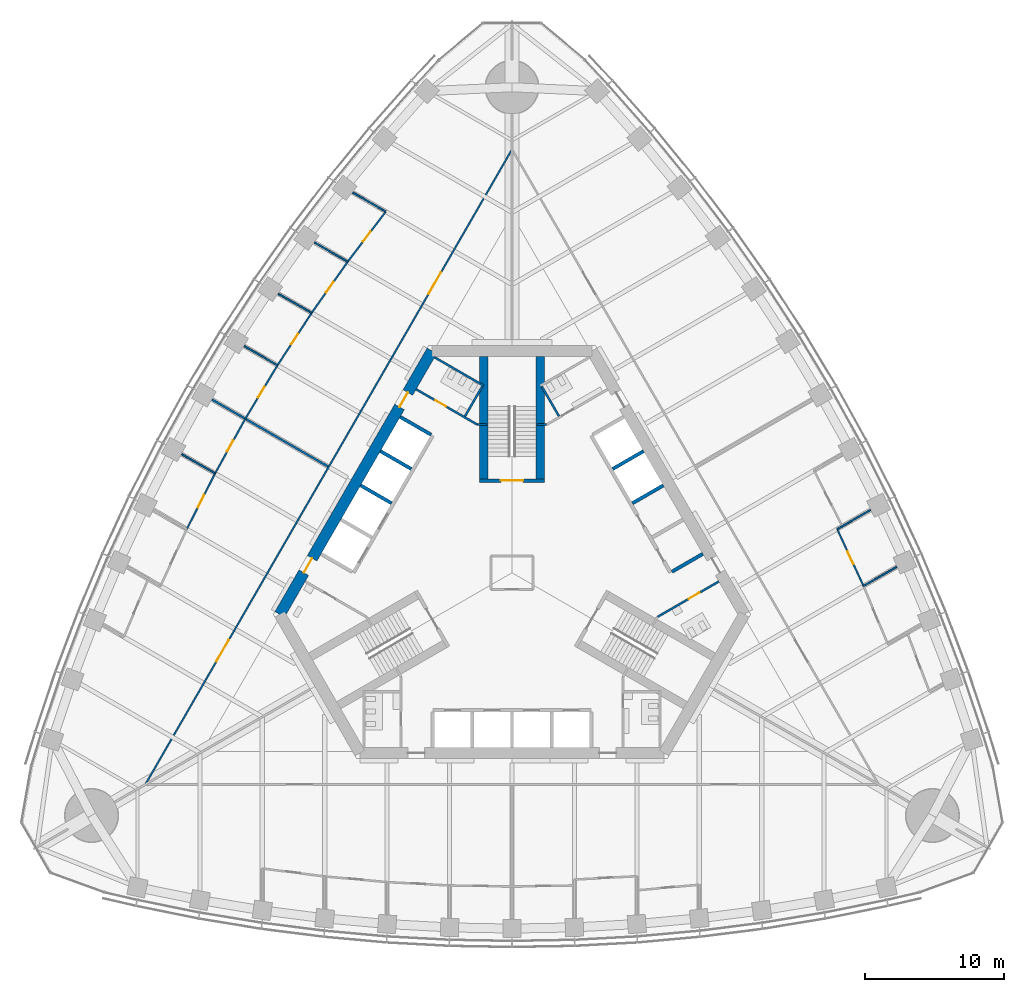
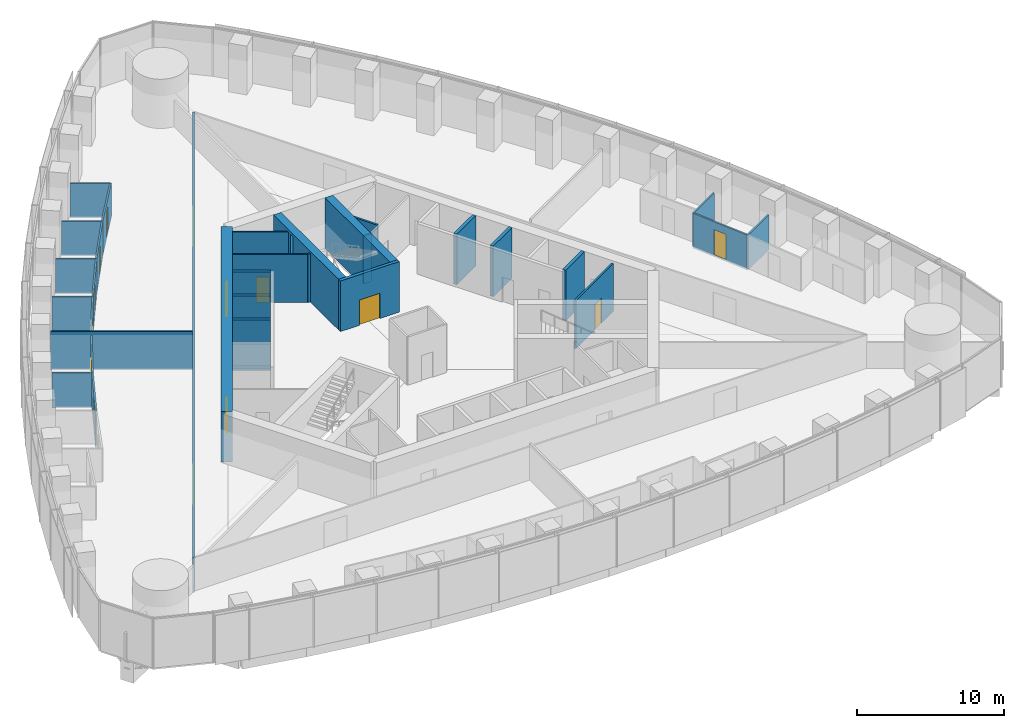
# One storey, part 13 of 19: 33 walls, 14 doors, 14 openings.
"""IFC4 building model written with IfcOpenShell, lengths in metres."""

from ifc_helpers import new_model, si_unit, direction, frame, frame_2d, origin, place, context, subcontext, project, spatial, rectangle, extrude, material, layer, layer_set, type_object, element, fill, save


model = new_model("IFC4")

# Units and contexts
model_context = context("Model", 3, precision=1e-05, world=origin(), true_north=direction((0.0, 1.0)))
body_context = subcontext(model_context, "Body", "Model", "MODEL_VIEW")
ifc_project = project(units=[si_unit("LENGTHUNIT", "METRE"), si_unit("AREAUNIT", "SQUARE_METRE"), si_unit("VOLUMEUNIT", "CUBIC_METRE"), si_unit("PLANEANGLEUNIT", "RADIAN"), si_unit("MASSUNIT", "GRAM", prefix="KILO")], contexts=[model_context])

# Site, building, storey
site_placement = place(None, origin())
site = spatial("IfcSite", under=ifc_project, at=site_placement, CompositionType="ELEMENT")
building_placement = place(site_placement, origin())
building = spatial("IfcBuilding", under=site, at=building_placement, Name="Trefoil Bronze Tower", CompositionType="ELEMENT")
storey_placement = place(building_placement, frame((0.0, 0.0, 128.300048828125)))
storey = spatial("IfcBuildingStorey", under=building, at=storey_placement, Name="L29", CompositionType="ELEMENT", Elevation=128.300048828125)

# Wall, openings, doors
ifc_material_1 = material(Name="Concrete B80", Category="concrete")
ifc_layer_1 = layer(ifc_material_1, 0.800048828125)
ifc_layer_set_1 = layer_set([ifc_layer_1], Name="Core wall 800")
wall_type_1 = type_object("IfcWallType", Name="Core wall 800", PredefinedType="SHEAR", material=ifc_layer_set_1)
wall_1_placement = place(storey_placement, frame((-5.7734375, 16.0, 0.0), z_axis=(0.0, 0.0, 1.0), x_axis=(-0.500002442456, -0.866023993627, 0.0)))
wall_1 = element("IfcWall", 1, at=wall_1_placement, inside=storey, type_object=wall_type_1, Name="Core long wall 3 L29", PredefinedType="SHEAR", context=body_context, shape_type="SweptSolid", body=[
    extrude(rectangle(XDim=21.939453125, YDim=0.800048828125, at=frame_2d((10.9697265625, 0.0))), origin(), (0.0, 0.0, 1.0), 4.199951171875),
])
opening_1_placement = place(wall_1_placement, frame((17.269775390625, 0.0, 0.0)))
opening_1 = element("IfcOpeningElement", 2, at=opening_1_placement, cuts=wall_1, Name="Opening D2", PredefinedType="OPENING", context=body_context, shape_type="SweptSolid", body=[
    extrude(rectangle(XDim=1.199951171875, YDim=2.10009765625, at=frame_2d((0.60009765625, 1.050048828125))), frame((0.0, 0.409912109375, 0.0), z_axis=(0.0, -1.0, 0.0), x_axis=(1.0, 0.0, 0.0)), (0.0, 0.0, 1.0), 0.820068359375),
])
opening_2_placement = place(wall_1_placement, frame((3.4697265625, 0.0, 0.0)))
opening_2 = element("IfcOpeningElement", 3, at=opening_2_placement, cuts=wall_1, Name="Opening D2", PredefinedType="OPENING", context=body_context, shape_type="SweptSolid", body=[
    extrude(rectangle(XDim=1.199951171875, YDim=2.10009765625, at=frame_2d((0.60009765625, 1.050048828125))), frame((0.0, 0.409912109375, 0.0), z_axis=(0.0, -1.0, 0.0), x_axis=(1.0, 0.0, 0.0)), (0.0, 0.0, 1.0), 0.820068359375),
])
ifc_material_2 = material(Name="Steel door", Category="steel")
door_type_1 = type_object("IfcDoorType", Name="Lobby door 1200", OperationType="SINGLE_SWING_RIGHT", PredefinedType="DOOR", material=ifc_material_2)
door_1_placement = place(opening_1_placement, origin())
door_1 = element("IfcDoor", 4, at=door_1_placement, inside=storey, type_object=door_type_1, Name="Lobby door F3+ L29", OperationType="SINGLE_SWING_RIGHT", OverallHeight=2.10009765625, OverallWidth=1.199951171875, PredefinedType="DOOR", context=body_context, shape_type="SweptSolid", body=[
    extrude(rectangle(XDim=1.199951171875, YDim=2.10009765625, at=frame_2d((0.60009765625, 1.050048828125))), frame((0.0, 0.02490234375, 0.0), z_axis=(0.0, -1.0, 0.0), x_axis=(1.0, 0.0, 0.0)), (0.0, 0.0, 1.0), 0.050048828125),
])
fill(opening_1, door_1)
door_2_placement = place(opening_2_placement, origin())
door_2 = element("IfcDoor", 5, at=door_2_placement, inside=storey, type_object=door_type_1, Name="Lobby door F3- L29", OperationType="SINGLE_SWING_LEFT", OverallHeight=2.10009765625, OverallWidth=1.199951171875, PredefinedType="DOOR", context=body_context, shape_type="SweptSolid", body=[
    extrude(rectangle(XDim=1.199951171875, YDim=2.10009765625, at=frame_2d((0.60009765625, 1.050048828125))), frame((0.0, 0.02490234375, 0.0), z_axis=(0.0, -1.0, 0.0), x_axis=(1.0, 0.0, 0.0)), (0.0, 0.0, 1.0), 0.050048828125),
])
fill(opening_2, door_2)

# Wall, opening, door
ifc_material_3 = material(Name="Glazed partition", Category="glass")
ifc_layer_2 = layer(ifc_material_3, 0.1201171875)
ifc_layer_set_2 = layer_set([ifc_layer_2], Name="Glazed partition 120")
wall_type_2 = type_object("IfcWallType", Name="Glazed partition 120", PredefinedType="PARTITIONING", material=ifc_layer_set_2)
wall_2_placement = place(storey_placement, frame((25.341552734375, -0.95751953125, 0.0), z_axis=(0.0, 0.0, 1.0), x_axis=(-0.419883773418, 0.907577884713, 0.0)))
wall_2 = element("IfcWall", 6, at=wall_2_placement, inside=storey, type_object=wall_type_2, Name="Partition F2 L29", PredefinedType="PARTITIONING", context=body_context, shape_type="SweptSolid", body=[
    extrude(rectangle(XDim=4.5185546875, YDim=0.1201171875, at=frame_2d((2.25927734375, 0.0))), origin(), (0.0, 0.0, 1.0), 2.89990234375),
])
opening_3_placement = place(wall_2_placement, frame((1.75, 0.0, 0.14990234375)))
opening_3 = element("IfcOpeningElement", 7, at=opening_3_placement, cuts=wall_2, Name="Opening D9", PredefinedType="OPENING", context=body_context, shape_type="SweptSolid", body=[
    extrude(rectangle(XDim=1.0, YDim=2.10009765625, at=frame_2d((0.5, 1.050048828125))), frame((0.0, 0.070068359375, 0.0), z_axis=(0.0, -1.0, 0.0), x_axis=(1.0, 0.0, 0.0)), (0.0, 0.0, 1.0), 0.14013671875),
])
ifc_material_4 = material(Name="Glazed timber door", Category="wood")
door_type_2 = type_object("IfcDoorType", Name="Meeting room door 1000", OperationType="SINGLE_SWING_LEFT", PredefinedType="DOOR", material=ifc_material_4)
door_3_placement = place(opening_3_placement, frame((1.0, 0.0, 0.0), z_axis=(0.0, 0.0, 1.0), x_axis=(-1.0, 0.0, 0.0)))
door_3 = element("IfcDoor", 8, at=door_3_placement, inside=storey, type_object=door_type_2, Name="Meeting room door F2 L29", OperationType="SINGLE_SWING_RIGHT", OverallHeight=2.10009765625, OverallWidth=1.0, PredefinedType="DOOR", context=body_context, shape_type="SweptSolid", body=[
    extrude(rectangle(XDim=1.0, YDim=2.10009765625, at=frame_2d((0.5, 1.050048828125))), frame((0.0, 0.02490234375, 0.0), z_axis=(0.0, -1.0, 0.0), x_axis=(1.0, 0.0, 0.0)), (0.0, 0.0, 1.0), 0.050048828125),
])
fill(opening_3, door_3)

# Walls
wall_3_placement = place(storey_placement, frame((25.341552734375, -0.95751953125, 0.0), z_axis=(0.0, 0.0, 1.0), x_axis=(0.866014808974, 0.500018350302, 0.0)))
element("IfcWall", 9, at=wall_3_placement, inside=storey, type_object=wall_type_2, Name="Partition F2 L29", PredefinedType="PARTITIONING", context=body_context, shape_type="SweptSolid", body=[
    extrude(rectangle(XDim=2.76171875, YDim=0.1201171875, at=frame_2d((1.380859375, 0.0))), origin(), (0.0, 0.0, 1.0), 2.89990234375),
])
wall_4_placement = place(storey_placement, frame((23.4443359375, 3.143310546875, 0.0), z_axis=(0.0, 0.0, 1.0), x_axis=(0.866023907196, 0.500002592159, 0.0)))
element("IfcWall", 10, at=wall_4_placement, inside=storey, type_object=wall_type_2, Name="Partition F2 L29", PredefinedType="PARTITIONING", context=body_context, shape_type="SweptSolid", body=[
    extrude(rectangle(XDim=2.76611328125, YDim=0.1201171875, at=frame_2d((1.383056640625, 0.0))), origin(), (0.0, 0.0, 1.0), 2.89990234375),
])

# Wall, openings, doors
wall_5_placement = place(storey_placement, frame((-0.016357421875, 30.491455078125, 0.0), z_axis=(0.0, 0.0, 1.0), x_axis=(-0.50000091641, -0.866024874695, 0.0)))
wall_5 = element("IfcWall", 11, at=wall_5_placement, inside=storey, type_object=wall_type_2, Name="Partition F3 L29", PredefinedType="PARTITIONING", context=body_context, shape_type="SweptSolid", body=[
    extrude(rectangle(XDim=52.79638671875, YDim=0.1201171875, at=frame_2d((26.398193359375, 0.0))), origin(), (0.0, 0.0, 1.0), 2.89990234375),
])
opening_4_placement = place(wall_5_placement, frame((10.199951171875, 0.0, 0.14990234375)))
opening_4 = element("IfcOpeningElement", 12, at=opening_4_placement, cuts=wall_5, Name="Opening D10", PredefinedType="OPENING", context=body_context, shape_type="SweptSolid", body=[
    extrude(rectangle(XDim=1.800048828125, YDim=2.10009765625, at=frame_2d((0.89990234375, 1.050048828125))), frame((0.0, 0.070068359375, 0.0), z_axis=(0.0, -1.0, 0.0), x_axis=(1.0, 0.0, 0.0)), (0.0, 0.0, 1.0), 0.14013671875),
])
opening_5_placement = place(wall_5_placement, frame((40.800048828125, 0.0, 0.14990234375)))
opening_5 = element("IfcOpeningElement", 13, at=opening_5_placement, cuts=wall_5, Name="Opening D10", PredefinedType="OPENING", context=body_context, shape_type="SweptSolid", body=[
    extrude(rectangle(XDim=1.800048828125, YDim=2.10009765625, at=frame_2d((0.89990234375, 1.050048828125))), frame((0.0, 0.070068359375, 0.0), z_axis=(0.0, -1.0, 0.0), x_axis=(1.0, 0.0, 0.0)), (0.0, 0.0, 1.0), 0.14013671875),
])
ifc_material_5 = material(Name="Timber door", Category="wood")
door_type_3 = type_object("IfcDoorType", Name="Double door 1800", OperationType="DOUBLE_DOOR_SINGLE_SWING", PredefinedType="DOOR", material=ifc_material_5)
door_4_placement = place(opening_4_placement, origin())
door_4 = element("IfcDoor", 14, at=door_4_placement, inside=storey, type_object=door_type_3, Name="Corridor door F3 L29", OperationType="DOUBLE_DOOR_SINGLE_SWING", OverallHeight=2.10009765625, OverallWidth=1.800048828125, PredefinedType="DOOR", context=body_context, shape_type="SweptSolid", body=[
    extrude(rectangle(XDim=1.800048828125, YDim=2.10009765625, at=frame_2d((0.89990234375, 1.050048828125))), frame((0.0, 0.02490234375, 0.0), z_axis=(0.0, -1.0, 0.0), x_axis=(1.0, 0.0, 0.0)), (0.0, 0.0, 1.0), 0.050048828125),
])
fill(opening_4, door_4)
door_5_placement = place(opening_5_placement, origin())
door_5 = element("IfcDoor", 15, at=door_5_placement, inside=storey, type_object=door_type_3, Name="Corridor door F3 L29", OperationType="DOUBLE_DOOR_SINGLE_SWING", OverallHeight=2.10009765625, OverallWidth=1.800048828125, PredefinedType="DOOR", context=body_context, shape_type="SweptSolid", body=[
    extrude(rectangle(XDim=1.800048828125, YDim=2.10009765625, at=frame_2d((0.89990234375, 1.050048828125))), frame((0.0, 0.02490234375, 0.0), z_axis=(0.0, -1.0, 0.0), x_axis=(1.0, 0.0, 0.0)), (0.0, 0.0, 1.0), 0.050048828125),
])
fill(opening_5, door_5)

# Wall, opening, door
wall_6_placement = place(storey_placement, frame((-19.2255859375, 11.099853515625, 0.0), z_axis=(0.0, 0.0, 1.0), x_axis=(-0.484292898211, -0.874905931368, 0.0)))
wall_6 = element("IfcWall", 16, at=wall_6_placement, inside=storey, type_object=wall_type_2, Name="Partition F3 L29", PredefinedType="PARTITIONING", context=body_context, shape_type="SweptSolid", body=[
    extrude(rectangle(XDim=4.500732421875, YDim=0.1201171875, at=frame_2d((2.25048828125, 0.0))), origin(), (0.0, 0.0, 1.0), 2.89990234375),
])
opening_6_placement = place(wall_6_placement, frame((1.800048828125, 0.0, 0.14990234375)))
opening_6 = element("IfcOpeningElement", 17, at=opening_6_placement, cuts=wall_6, Name="Opening D8", PredefinedType="OPENING", context=body_context, shape_type="SweptSolid", body=[
    extrude(rectangle(XDim=0.89990234375, YDim=2.10009765625, at=frame_2d((0.449951171875, 1.050048828125))), frame((0.0, 0.070068359375, 0.0), z_axis=(0.0, -1.0, 0.0), x_axis=(1.0, 0.0, 0.0)), (0.0, 0.0, 1.0), 0.14013671875),
])
ifc_material_6 = material(Name="Timber door", Category="wood")
door_type_4 = type_object("IfcDoorType", Name="Office door 900", OperationType="SINGLE_SWING_LEFT", PredefinedType="DOOR", material=ifc_material_6)
door_6_placement = place(opening_6_placement, frame((0.89990234375, 0.0, 0.0), z_axis=(0.0, 0.0, 1.0), x_axis=(-1.0, 0.0, 0.0)))
door_6 = element("IfcDoor", 18, at=door_6_placement, inside=storey, type_object=door_type_4, Name="Office door F3 L29", OperationType="SINGLE_SWING_RIGHT", OverallHeight=2.10009765625, OverallWidth=0.89990234375, PredefinedType="DOOR", context=body_context, shape_type="SweptSolid", body=[
    extrude(rectangle(XDim=0.89990234375, YDim=2.10009765625, at=frame_2d((0.449951171875, 1.050048828125))), frame((0.0, 0.02490234375, 0.0), z_axis=(0.0, -1.0, 0.0), x_axis=(1.0, 0.0, 0.0)), (0.0, 0.0, 1.0), 0.050048828125),
])
fill(opening_6, door_6)

wall_7_placement = place(storey_placement, frame((-21.4052734375, 7.162109375, 0.0), z_axis=(0.0, 0.0, 1.0), x_axis=(-0.452471679136, -0.891778772779, 0.0)))
wall_7 = element("IfcWall", 19, at=wall_7_placement, inside=storey, type_object=wall_type_2, Name="Partition F3 L29", PredefinedType="PARTITIONING", context=body_context, shape_type="SweptSolid", body=[
    extrude(rectangle(XDim=4.506591796875, YDim=0.1201171875, at=frame_2d((2.25341796875, 0.0))), origin(), (0.0, 0.0, 1.0), 2.89990234375),
])
opening_7_placement = place(wall_7_placement, frame((1.75, 0.0, 0.14990234375)))
opening_7 = element("IfcOpeningElement", 20, at=opening_7_placement, cuts=wall_7, Name="Opening D9", PredefinedType="OPENING", context=body_context, shape_type="SweptSolid", body=[
    extrude(rectangle(XDim=1.0, YDim=2.10009765625, at=frame_2d((0.5, 1.050048828125))), frame((0.0, 0.070068359375, 0.0), z_axis=(0.0, -1.0, 0.0), x_axis=(1.0, 0.0, 0.0)), (0.0, 0.0, 1.0), 0.14013671875),
])
door_7_placement = place(opening_7_placement, frame((1.0, 0.0, 0.0), z_axis=(0.0, 0.0, 1.0), x_axis=(-1.0, 0.0, 0.0)))
door_7 = element("IfcDoor", 21, at=door_7_placement, inside=storey, type_object=door_type_2, Name="Meeting room door F3 L29", OperationType="SINGLE_SWING_RIGHT", OverallHeight=2.10009765625, OverallWidth=1.0, PredefinedType="DOOR", context=body_context, shape_type="SweptSolid", body=[
    extrude(rectangle(XDim=1.0, YDim=2.10009765625, at=frame_2d((0.5, 1.050048828125))), frame((0.0, 0.02490234375, 0.0), z_axis=(0.0, -1.0, 0.0), x_axis=(1.0, 0.0, 0.0)), (0.0, 0.0, 1.0), 0.050048828125),
])
fill(opening_7, door_7)

wall_8_placement = place(storey_placement, frame((-11.841552734375, 22.42529296875, 0.0), z_axis=(0.0, 0.0, 1.0), x_axis=(-0.576023283708, -0.817433285734, 0.0)))
wall_8 = element("IfcWall", 22, at=wall_8_placement, inside=storey, type_object=wall_type_2, Name="Partition F3 L29", PredefinedType="PARTITIONING", context=body_context, shape_type="SweptSolid", body=[
    extrude(rectangle(XDim=4.5185546875, YDim=0.1201171875, at=frame_2d((2.25927734375, 0.0))), origin(), (0.0, 0.0, 1.0), 2.89990234375),
])
opening_8_placement = place(wall_8_placement, frame((1.800048828125, 0.0, 0.14990234375)))
opening_8 = element("IfcOpeningElement", 23, at=opening_8_placement, cuts=wall_8, Name="Opening D8", PredefinedType="OPENING", context=body_context, shape_type="SweptSolid", body=[
    extrude(rectangle(XDim=0.89990234375, YDim=2.10009765625, at=frame_2d((0.449951171875, 1.050048828125))), frame((0.0, 0.070068359375, 0.0), z_axis=(0.0, -1.0, 0.0), x_axis=(1.0, 0.0, 0.0)), (0.0, 0.0, 1.0), 0.14013671875),
])
door_8_placement = place(opening_8_placement, frame((0.89990234375, 0.0, 0.0), z_axis=(0.0, 0.0, 1.0), x_axis=(-1.0, 0.0, 0.0)))
door_8 = element("IfcDoor", 24, at=door_8_placement, inside=storey, type_object=door_type_4, Name="Office door F3 L29", OperationType="SINGLE_SWING_RIGHT", OverallHeight=2.10009765625, OverallWidth=0.89990234375, PredefinedType="DOOR", context=body_context, shape_type="SweptSolid", body=[
    extrude(rectangle(XDim=0.89990234375, YDim=2.10009765625, at=frame_2d((0.449951171875, 1.050048828125))), frame((0.0, 0.02490234375, 0.0), z_axis=(0.0, -1.0, 0.0), x_axis=(1.0, 0.0, 0.0)), (0.0, 0.0, 1.0), 0.050048828125),
])
fill(opening_8, door_8)

wall_9_placement = place(storey_placement, frame((-9.09619140625, 26.0361328125, 0.0), z_axis=(0.0, 0.0, 1.0), x_axis=(-0.605240194184, -0.796042905467, 0.0)))
wall_9 = element("IfcWall", 25, at=wall_9_placement, inside=storey, type_object=wall_type_2, Name="Partition F3 L29", PredefinedType="PARTITIONING", context=body_context, shape_type="SweptSolid", body=[
    extrude(rectangle(XDim=4.535888671875, YDim=0.1201171875, at=frame_2d((2.26806640625, 0.0))), origin(), (0.0, 0.0, 1.0), 2.89990234375),
])
opening_9_placement = place(wall_9_placement, frame((1.800048828125, 0.0, 0.14990234375)))
opening_9 = element("IfcOpeningElement", 26, at=opening_9_placement, cuts=wall_9, Name="Opening D8", PredefinedType="OPENING", context=body_context, shape_type="SweptSolid", body=[
    extrude(rectangle(XDim=0.89990234375, YDim=2.10009765625, at=frame_2d((0.449951171875, 1.050048828125))), frame((0.0, 0.070068359375, 0.0), z_axis=(0.0, -1.0, 0.0), x_axis=(1.0, 0.0, 0.0)), (0.0, 0.0, 1.0), 0.14013671875),
])
door_9_placement = place(opening_9_placement, frame((0.89990234375, 0.0, 0.0), z_axis=(0.0, 0.0, 1.0), x_axis=(-1.0, 0.0, 0.0)))
door_9 = element("IfcDoor", 27, at=door_9_placement, inside=storey, type_object=door_type_4, Name="Office door F3 L29", OperationType="SINGLE_SWING_RIGHT", OverallHeight=2.10009765625, OverallWidth=0.89990234375, PredefinedType="DOOR", context=body_context, shape_type="SweptSolid", body=[
    extrude(rectangle(XDim=0.89990234375, YDim=2.10009765625, at=frame_2d((0.449951171875, 1.050048828125))), frame((0.0, 0.02490234375, 0.0), z_axis=(0.0, -1.0, 0.0), x_axis=(1.0, 0.0, 0.0)), (0.0, 0.0, 1.0), 0.050048828125),
])
fill(opening_9, door_9)

wall_10_placement = place(storey_placement, frame((-16.9052734375, 14.956298828125, 0.0), z_axis=(0.0, 0.0, 1.0), x_axis=(-0.515548366618, -0.856860479703, 0.0)))
wall_10 = element("IfcWall", 28, at=wall_10_placement, inside=storey, type_object=wall_type_2, Name="Partition F3 L29", PredefinedType="PARTITIONING", context=body_context, shape_type="SweptSolid", body=[
    extrude(rectangle(XDim=4.500732421875, YDim=0.1201171875, at=frame_2d((2.25048828125, 0.0))), origin(), (0.0, 0.0, 1.0), 2.89990234375),
])
opening_10_placement = place(wall_10_placement, frame((1.800048828125, 0.0, 0.14990234375)))
opening_10 = element("IfcOpeningElement", 29, at=opening_10_placement, cuts=wall_10, Name="Opening D8", PredefinedType="OPENING", context=body_context, shape_type="SweptSolid", body=[
    extrude(rectangle(XDim=0.89990234375, YDim=2.10009765625, at=frame_2d((0.449951171875, 1.050048828125))), frame((0.0, 0.070068359375, 0.0), z_axis=(0.0, -1.0, 0.0), x_axis=(1.0, 0.0, 0.0)), (0.0, 0.0, 1.0), 0.14013671875),
])
door_10_placement = place(opening_10_placement, frame((0.89990234375, 0.0, 0.0), z_axis=(0.0, 0.0, 1.0), x_axis=(-1.0, 0.0, 0.0)))
door_10 = element("IfcDoor", 30, at=door_10_placement, inside=storey, type_object=door_type_4, Name="Office door F3 L29", OperationType="SINGLE_SWING_RIGHT", OverallHeight=2.10009765625, OverallWidth=0.89990234375, PredefinedType="DOOR", context=body_context, shape_type="SweptSolid", body=[
    extrude(rectangle(XDim=0.89990234375, YDim=2.10009765625, at=frame_2d((0.449951171875, 1.050048828125))), frame((0.0, 0.02490234375, 0.0), z_axis=(0.0, -1.0, 0.0), x_axis=(1.0, 0.0, 0.0)), (0.0, 0.0, 1.0), 0.050048828125),
])
fill(opening_10, door_10)

wall_11_placement = place(storey_placement, frame((-14.4443359375, 18.731689453125, 0.0), z_axis=(0.0, 0.0, 1.0), x_axis=(-0.546069464151, -0.837739900161, 0.0)))
wall_11 = element("IfcWall", 31, at=wall_11_placement, inside=storey, type_object=wall_type_2, Name="Partition F3 L29", PredefinedType="PARTITIONING", context=body_context, shape_type="SweptSolid", body=[
    extrude(rectangle(XDim=4.506591796875, YDim=0.1201171875, at=frame_2d((2.25341796875, 0.0))), origin(), (0.0, 0.0, 1.0), 2.89990234375),
])
opening_11_placement = place(wall_11_placement, frame((1.800048828125, 0.0, 0.14990234375)))
opening_11 = element("IfcOpeningElement", 32, at=opening_11_placement, cuts=wall_11, Name="Opening D8", PredefinedType="OPENING", context=body_context, shape_type="SweptSolid", body=[
    extrude(rectangle(XDim=0.89990234375, YDim=2.10009765625, at=frame_2d((0.449951171875, 1.050048828125))), frame((0.0, 0.070068359375, 0.0), z_axis=(0.0, -1.0, 0.0), x_axis=(1.0, 0.0, 0.0)), (0.0, 0.0, 1.0), 0.14013671875),
])
door_11_placement = place(opening_11_placement, frame((0.89990234375, 0.0, 0.0), z_axis=(0.0, 0.0, 1.0), x_axis=(-1.0, 0.0, 0.0)))
door_11 = element("IfcDoor", 33, at=door_11_placement, inside=storey, type_object=door_type_4, Name="Office door F3 L29", OperationType="SINGLE_SWING_RIGHT", OverallHeight=2.10009765625, OverallWidth=0.89990234375, PredefinedType="DOOR", context=body_context, shape_type="SweptSolid", body=[
    extrude(rectangle(XDim=0.89990234375, YDim=2.10009765625, at=frame_2d((0.449951171875, 1.050048828125))), frame((0.0, 0.02490234375, 0.0), z_axis=(0.0, -1.0, 0.0), x_axis=(1.0, 0.0, 0.0)), (0.0, 0.0, 1.0), 0.050048828125),
])
fill(opening_11, door_11)

# Walls
wall_12_placement = place(storey_placement, frame((-21.4052734375, 7.162109375, 0.0), z_axis=(0.0, 0.0, 1.0), x_axis=(-0.866015261085, 0.500017567259, 0.0)))
element("IfcWall", 34, at=wall_12_placement, inside=storey, type_object=wall_type_2, Name="Partition F3 L29", PredefinedType="PARTITIONING", context=body_context, shape_type="SweptSolid", body=[
    extrude(rectangle(XDim=2.76904296875, YDim=0.1201171875, at=frame_2d((1.384521484375, 0.0))), origin(), (0.0, 0.0, 1.0), 2.89990234375),
])
wall_13_placement = place(storey_placement, frame((-11.841552734375, 22.42529296875, 0.0), z_axis=(0.0, 0.0, 1.0), x_axis=(-0.866053089527, 0.499952043821, 0.0)))
element("IfcWall", 35, at=wall_13_placement, inside=storey, type_object=wall_type_2, Name="Partition F3 L29", PredefinedType="PARTITIONING", context=body_context, shape_type="SweptSolid", body=[
    extrude(rectangle(XDim=2.761474609375, YDim=0.1201171875, at=frame_2d((1.380859375, 0.0))), origin(), (0.0, 0.0, 1.0), 2.89990234375),
])
wall_14_placement = place(storey_placement, frame((-9.09619140625, 26.0361328125, 0.0), z_axis=(0.0, 0.0, 1.0), x_axis=(-0.865975970311, 0.500085611514, 0.0)))
element("IfcWall", 36, at=wall_14_placement, inside=storey, type_object=wall_type_2, Name="Partition F3 L29", PredefinedType="PARTITIONING", context=body_context, shape_type="SweptSolid", body=[
    extrude(rectangle(XDim=2.75439453125, YDim=0.1201171875, at=frame_2d((1.377197265625, 0.0))), origin(), (0.0, 0.0, 1.0), 2.89990234375),
])
wall_15_placement = place(storey_placement, frame((-16.9052734375, 14.956298828125, 0.0), z_axis=(0.0, 0.0, 1.0), x_axis=(-0.866015261085, 0.500017567259, 0.0)))
element("IfcWall", 37, at=wall_15_placement, inside=storey, type_object=wall_type_2, Name="Partition F3 L29", PredefinedType="PARTITIONING", context=body_context, shape_type="SweptSolid", body=[
    extrude(rectangle(XDim=2.76904296875, YDim=0.1201171875, at=frame_2d((1.384521484375, 0.0))), origin(), (0.0, 0.0, 1.0), 2.89990234375),
])
wall_16_placement = place(storey_placement, frame((-14.4443359375, 18.731689453125, 0.0), z_axis=(0.0, 0.0, 1.0), x_axis=(-0.866023907196, 0.500002592159, 0.0)))
element("IfcWall", 38, at=wall_16_placement, inside=storey, type_object=wall_type_2, Name="Partition F3 L29", PredefinedType="PARTITIONING", context=body_context, shape_type="SweptSolid", body=[
    extrude(rectangle(XDim=2.76611328125, YDim=0.1201171875, at=frame_2d((1.383056640625, 0.0))), origin(), (0.0, 0.0, 1.0), 2.89990234375),
])

# Wall, opening, door
ifc_material_7 = material(Name="Gypsum board on steel studs", Category="steel")
ifc_layer_3 = layer(ifc_material_7, 0.14990234375)
ifc_layer_set_3 = layer_set([ifc_layer_3], Name="Partition 150")
wall_type_3 = type_object("IfcWallType", Name="Partition 150", PredefinedType="PARTITIONING", material=ifc_layer_set_3)
wall_17_placement = place(storey_placement, frame((10.4951171875, -3.17822265625, 0.0), z_axis=(0.0, 0.0, 1.0), x_axis=(0.86602216432, 0.500005610874, 0.0)))
wall_17 = element("IfcWall", 39, at=wall_17_placement, inside=storey, type_object=wall_type_3, Name="Passage wall F2- L29", PredefinedType="PARTITIONING", context=body_context, shape_type="SweptSolid", body=[
    extrude(rectangle(XDim=5.10009765625, YDim=0.14990234375, at=frame_2d((2.550048828125, 0.0))), origin(), (0.0, 0.0, 1.0), 4.0),
])
opening_12_placement = place(wall_17_placement, frame((2.60009765625, 0.0, 0.0)))
opening_12 = element("IfcOpeningElement", 40, at=opening_12_placement, cuts=wall_17, Name="Opening D3", PredefinedType="OPENING", context=body_context, shape_type="SweptSolid", body=[
    extrude(rectangle(XDim=0.89990234375, YDim=2.10009765625, at=frame_2d((0.449951171875, 1.050048828125))), frame((0.0, 0.0849609375, 0.0), z_axis=(0.0, -1.0, 0.0), x_axis=(1.0, 0.0, 0.0)), (0.0, 0.0, 1.0), 0.169921875),
])
ifc_material_8 = material(Name="Timber door", Category="wood")
door_type_5 = type_object("IfcDoorType", Name="WC door 900", OperationType="SINGLE_SWING_LEFT", PredefinedType="DOOR", material=ifc_material_8)
door_12_placement = place(opening_12_placement, frame((0.89990234375, 0.0, 0.0), z_axis=(0.0, 0.0, 1.0), x_axis=(-1.0, 0.0, 0.0)))
door_12 = element("IfcDoor", 41, at=door_12_placement, inside=storey, type_object=door_type_5, Name="WC (women) door L29", OperationType="SINGLE_SWING_LEFT", OverallHeight=2.10009765625, OverallWidth=0.89990234375, PredefinedType="DOOR", context=body_context, shape_type="SweptSolid", body=[
    extrude(rectangle(XDim=0.89990234375, YDim=2.10009765625, at=frame_2d((0.449951171875, 1.050048828125))), frame((0.0, 0.02490234375, 0.0), z_axis=(0.0, -1.0, 0.0), x_axis=(1.0, 0.0, 0.0)), (0.0, 0.0, 1.0), 0.050048828125),
])
fill(opening_12, door_12)

wall_18_placement = place(storey_placement, frame((-2.4951171875, 10.67822265625, 0.0), z_axis=(0.0, 0.0, 1.0), x_axis=(-0.86602216432, 0.500005610874, 0.0)))
wall_18 = element("IfcWall", 42, at=wall_18_placement, inside=storey, type_object=wall_type_3, Name="Passage wall F3- L29", PredefinedType="PARTITIONING", context=body_context, shape_type="SweptSolid", body=[
    extrude(rectangle(XDim=5.10009765625, YDim=0.14990234375, at=frame_2d((2.550048828125, 0.0))), origin(), (0.0, 0.0, 1.0), 4.0),
])
opening_13_placement = place(wall_18_placement, frame((2.60009765625, 0.0, 0.0)))
opening_13 = element("IfcOpeningElement", 43, at=opening_13_placement, cuts=wall_18, Name="Opening D3", PredefinedType="OPENING", context=body_context, shape_type="SweptSolid", body=[
    extrude(rectangle(XDim=0.89990234375, YDim=2.10009765625, at=frame_2d((0.449951171875, 1.050048828125))), frame((0.0, 0.0849609375, 0.0), z_axis=(0.0, -1.0, 0.0), x_axis=(1.0, 0.0, 0.0)), (0.0, 0.0, 1.0), 0.169921875),
])
door_13_placement = place(opening_13_placement, frame((0.89990234375, 0.0, 0.0), z_axis=(0.0, 0.0, 1.0), x_axis=(-1.0, 0.0, 0.0)))
door_13 = element("IfcDoor", 44, at=door_13_placement, inside=storey, type_object=door_type_5, Name="WC (women) door L29", OperationType="SINGLE_SWING_RIGHT", OverallHeight=2.10009765625, OverallWidth=0.89990234375, PredefinedType="DOOR", context=body_context, shape_type="SweptSolid", body=[
    extrude(rectangle(XDim=0.89990234375, YDim=2.10009765625, at=frame_2d((0.449951171875, 1.050048828125))), frame((0.0, 0.02490234375, 0.0), z_axis=(0.0, -1.0, 0.0), x_axis=(1.0, 0.0, 0.0)), (0.0, 0.0, 1.0), 0.050048828125),
])
fill(opening_13, door_13)

# Walls
for number, where, z_axis, x_axis, name in (
    (45, (2.4951171875, 10.67822265625, 0.0), (0.0, 0.0, 1.0), (-1.0, 0.0, 0.0), "WC wall ST2-1 L29"),
    (46, (-2.4951171875, 10.67822265625, 0.0), (0.0, 0.0, 1.0), (1.0, 0.0, 0.0), "WC wall ST2+1 L29"),
):
    element("IfcWall", number, at=place(storey_placement, frame(where, z_axis=z_axis, x_axis=x_axis)), inside=storey, type_object=wall_type_3, Name=name, PredefinedType="PARTITIONING", context=body_context, shape_type="SweptSolid", body=[
        extrude(rectangle(XDim=0.64501953125, YDim=0.14990234375, at=frame_2d((0.322509765625, 0.0))), origin(), (0.0, 0.0, 1.0), 4.0),
    ])
wall_19_placement = place(storey_placement, frame((3.388671875, 11.28076171875, 0.0), z_axis=(0.0, 0.0, 1.0), x_axis=(-0.499989096993, 0.866031698547, 0.0)))
element("IfcWall", 47, at=wall_19_placement, inside=storey, type_object=wall_type_3, Name="WC partition WC (men) L29", PredefinedType="PARTITIONING", context=body_context, shape_type="SweptSolid", body=[
    extrude(rectangle(XDim=2.509765625, YDim=0.14990234375, at=frame_2d((1.2548828125, 0.0))), origin(), (0.0, 0.0, 1.0), 4.0),
])
wall_20_placement = place(storey_placement, frame((-2.03125, 13.48193359375, 0.0), z_axis=(0.0, 0.0, 1.0), x_axis=(-0.866050731258, 0.499956128963, 0.0)))
element("IfcWall", 48, at=wall_20_placement, inside=storey, type_object=wall_type_3, Name="WC partition WC (women) L29", PredefinedType="PARTITIONING", context=body_context, shape_type="SweptSolid", body=[
    extrude(rectangle(XDim=4.099853515625, YDim=0.14990234375, at=frame_2d((2.0498046875, 0.0))), origin(), (0.0, 0.0, 1.0), 4.0),
])
wall_21_placement = place(storey_placement, frame((-3.388671875, 11.28076171875, 0.0), z_axis=(0.0, 0.0, 1.0), x_axis=(0.499989096993, 0.866031698547, 0.0)))
element("IfcWall", 49, at=wall_21_placement, inside=storey, type_object=wall_type_3, Name="WC partition WC (women) L29", PredefinedType="PARTITIONING", context=body_context, shape_type="SweptSolid", body=[
    extrude(rectangle(XDim=2.509765625, YDim=0.14990234375, at=frame_2d((1.2548828125, 0.0))), origin(), (0.0, 0.0, 1.0), 4.0),
])
ifc_material_9 = material(Name="Gypsum board on steel studs", Category="steel")
ifc_layer_4 = layer(ifc_material_9, 0.14990234375)
ifc_layer_set_4 = layer_set([ifc_layer_4], Name="Party wall 150")
wall_type_4 = type_object("IfcWallType", Name="Party wall 150", PredefinedType="PARTITIONING", material=ifc_layer_set_4)
wall_22_placement = place(storey_placement, frame((-13.267578125, 7.659912109375, 0.0), z_axis=(0.0, 0.0, 1.0), x_axis=(-0.866015788683, 0.500016653474, 0.0)))
element("IfcWall", 50, at=wall_22_placement, inside=storey, type_object=wall_type_4, Name="Demising wall F3 L29", PredefinedType="PARTITIONING", context=body_context, shape_type="SweptSolid", body=[
    extrude(rectangle(XDim=9.649658203125, YDim=0.14990234375, at=frame_2d((4.82470703125, 0.0))), origin(), (0.0, 0.0, 1.0), 3.199951171875),
])
ifc_material_10 = material(Name="Concrete B80", Category="concrete")
ifc_layer_5 = layer(ifc_material_10, 0.25)
ifc_layer_set_5 = layer_set([ifc_layer_5], Name="Shaft wall 250")
wall_type_5 = type_object("IfcWallType", Name="Shaft wall 250", PredefinedType="SHEAR", material=ifc_layer_set_5)
for number, where, z_axis, x_axis, name in (
    (51, (11.531982421875, 0.076171875, 0.0), (0.0, 0.0, 1.0), (0.866005588531, 0.500034319456, 0.0), "Lift shaft side wall B0 L29"),
    (52, (8.681884765625, 5.012451171875, 0.0), (0.0, 0.0, 1.0), (0.866005588531, 0.500034319456, 0.0), "Lift shaft side wall B2 L29"),
    (53, (7.2568359375, 7.480712890625, 0.0), (0.0, 0.0, 1.0), (0.866046643894, 0.499963209246, 0.0), "Lift shaft side wall B3 L29"),
):
    element("IfcWall", number, at=place(storey_placement, frame(where, z_axis=z_axis, x_axis=x_axis)), inside=storey, type_object=wall_type_5, Name=name, PredefinedType="SHEAR", context=body_context, shape_type="SweptSolid", body=[
        extrude(rectangle(XDim=2.574951171875, YDim=0.25, at=frame_2d((1.28759765625, 0.0))), origin(), (0.0, 0.0, 1.0), 4.199951171875),
    ])
wall_23_placement = place(storey_placement, frame((-5.831787109375, 9.94873046875, 0.0), z_axis=(0.0, 0.0, 1.0), x_axis=(-0.866029291668, 0.499993265928, 0.0)))
element("IfcWall", 54, at=wall_23_placement, inside=storey, type_object=wall_type_5, Name="Lift shaft side wall C0 L29", PredefinedType="SHEAR", context=body_context, shape_type="SweptSolid", body=[
    extrude(rectangle(XDim=2.5751953125, YDim=0.25, at=frame_2d((1.28759765625, 0.0))), origin(), (0.0, 0.0, 1.0), 4.199951171875),
])
for number, where, z_axis, x_axis, name in (
    (55, (-7.2568359375, 7.480712890625, 0.0), (0.0, 0.0, 1.0), (-0.866046643894, 0.499963209246, 0.0), "Lift shaft side wall C1 L29"),
    (56, (-8.681884765625, 5.012451171875, 0.0), (0.0, 0.0, 1.0), (-0.866005588531, 0.500034319456, 0.0), "Lift shaft side wall C2 L29"),
):
    element("IfcWall", number, at=place(storey_placement, frame(where, z_axis=z_axis, x_axis=x_axis)), inside=storey, type_object=wall_type_5, Name=name, PredefinedType="SHEAR", context=body_context, shape_type="SweptSolid", body=[
        extrude(rectangle(XDim=2.574951171875, YDim=0.25, at=frame_2d((1.28759765625, 0.0))), origin(), (0.0, 0.0, 1.0), 4.199951171875),
    ])

# Wall, opening, door
wall_24_placement = place(storey_placement, frame((2.324951171875, 6.64990234375, 0.0), z_axis=(0.0, 0.0, 1.0), x_axis=(-1.0, 0.0, 0.0)))
wall_24 = element("IfcWall", 57, at=wall_24_placement, inside=storey, type_object=wall_type_5, Name="Stair end wall ST2 L29", PredefinedType="SHEAR", context=body_context, shape_type="SweptSolid", body=[
    extrude(rectangle(XDim=4.64990234375, YDim=0.25, at=frame_2d((2.324951171875, 0.0))), origin(), (0.0, 0.0, 1.0), 4.199951171875),
])
opening_14_placement = place(wall_24_placement, frame((1.52490234375, 0.0, 0.0)))
opening_14 = element("IfcOpeningElement", 58, at=opening_14_placement, cuts=wall_24, Name="Opening D1", PredefinedType="OPENING", context=body_context, shape_type="SweptSolid", body=[
    extrude(rectangle(XDim=1.60009765625, YDim=2.10009765625, at=frame_2d((0.800048828125, 1.050048828125))), frame((0.0, 0.135009765625, 0.0), z_axis=(0.0, -1.0, 0.0), x_axis=(1.0, 0.0, 0.0)), (0.0, 0.0, 1.0), 0.27001953125),
])
ifc_material_11 = material(Name="Steel door", Category="steel")
door_type_6 = type_object("IfcDoorType", Name="Stair door 1600", OperationType="DOUBLE_DOOR_SINGLE_SWING", PredefinedType="DOOR", material=ifc_material_11)
door_14_placement = place(opening_14_placement, frame((1.60009765625, 0.0, 0.0), z_axis=(0.0, 0.0, 1.0), x_axis=(-1.0, 0.0, 0.0)))
door_14 = element("IfcDoor", 59, at=door_14_placement, inside=storey, type_object=door_type_6, Name="Stair door ST2 L29", OperationType="DOUBLE_DOOR_SINGLE_SWING", OverallHeight=2.10009765625, OverallWidth=1.60009765625, PredefinedType="DOOR", context=body_context, shape_type="SweptSolid", body=[
    extrude(rectangle(XDim=1.60009765625, YDim=2.10009765625, at=frame_2d((0.800048828125, 1.050048828125))), frame((0.0, 0.02490234375, 0.0), z_axis=(0.0, -1.0, 0.0), x_axis=(1.0, 0.0, 0.0)), (0.0, 0.0, 1.0), 0.050048828125),
])
fill(opening_14, door_14)

# Walls
ifc_material_12 = material(Name="Concrete B80", Category="concrete")
ifc_layer_6 = layer(ifc_material_12, 0.60009765625)
ifc_layer_set_6 = layer_set([ifc_layer_6], Name="Stair wall 600")
wall_type_6 = type_object("IfcWallType", Name="Stair wall 600", PredefinedType="SHEAR", material=ifc_layer_set_6)
for number, where, z_axis, x_axis, name in (
    (60, (2.02490234375, 6.52490234375, 0.0), (0.0, 0.0, 1.0), (0.0, 1.0, 0.0), "Stair wall ST2 L29"),
    (61, (-2.02490234375, 6.52490234375, 0.0), (0.0, 0.0, 1.0), (0.0, 1.0, 0.0), "Stair wall ST2 L29"),
):
    element("IfcWall", number, at=place(storey_placement, frame(where, z_axis=z_axis, x_axis=x_axis)), inside=storey, type_object=wall_type_6, Name=name, PredefinedType="SHEAR", context=body_context, shape_type="SweptSolid", body=[
        extrude(rectangle(XDim=9.0751953125, YDim=0.60009765625, at=frame_2d((4.53759765625, 0.0))), origin(), (0.0, 0.0, 1.0), 4.199951171875),
    ])

save(model, "model.ifc")
